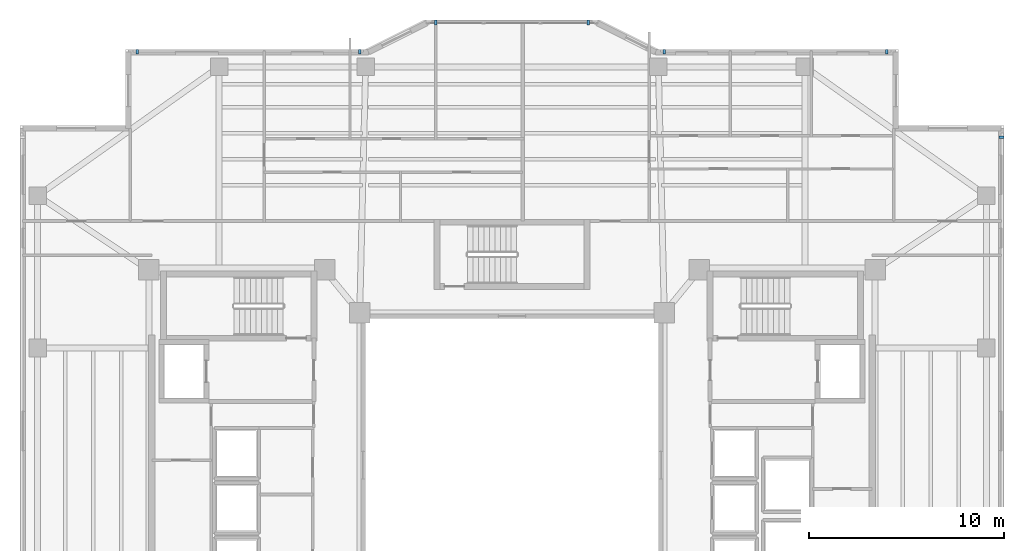
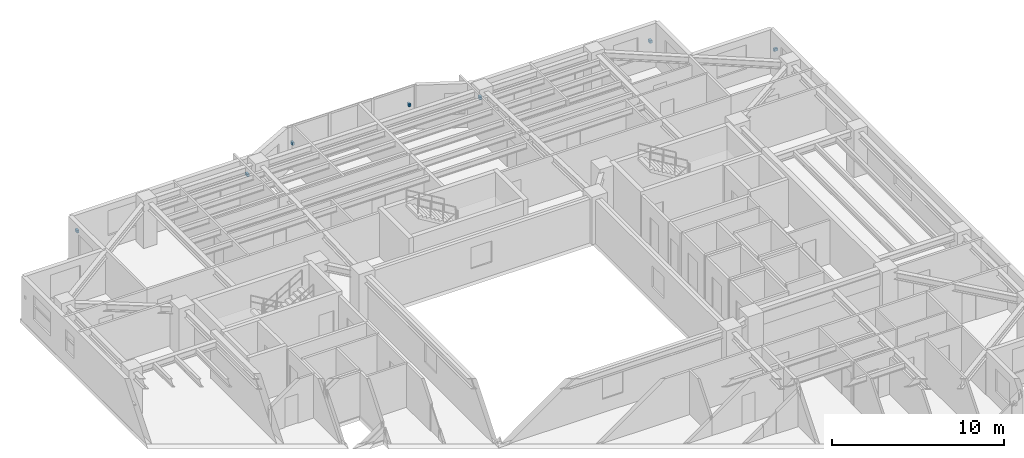
# One storey, part 13 of 16: 7 discrete accessories.
"""IFC4 building model written with IfcOpenShell, lengths in metres."""

from ifc_helpers import new_model, si_unit, direction, frame, origin, origin_2d, place, context, subcontext, project, spatial, rectangle, extrude, material, type_object, element, save


model = new_model("IFC4")

# Units and contexts
model_context = context("Model", 3, precision=1e-05, world=origin(), true_north=direction((0.0, 1.0)))
body_context = subcontext(model_context, "Body", "Model", "MODEL_VIEW")
ifc_project = project(units=[si_unit("LENGTHUNIT", "METRE"), si_unit("AREAUNIT", "SQUARE_METRE"), si_unit("VOLUMEUNIT", "CUBIC_METRE"), si_unit("PLANEANGLEUNIT", "RADIAN"), si_unit("MASSUNIT", "GRAM", prefix="KILO")], contexts=[model_context])

# Site, building, storey
site_placement = place(None, origin())
site = spatial("IfcSite", under=ifc_project, at=site_placement, CompositionType="ELEMENT")
building_placement = place(site_placement, origin())
building = spatial("IfcBuilding", under=site, at=building_placement, Name="Tarnavaz Court Tower", CompositionType="ELEMENT")
storey_placement = place(building_placement, frame((0.0, 0.0, 146.0)))
storey = spatial("IfcBuildingStorey", under=building, at=storey_placement, Name="L39", CompositionType="ELEMENT", Elevation=146.0)

# Discrete accessories
ifc_material = material(Name="Anodised Aluminium 6063-T6", Category="aluminium")
discrete_accessory_type = type_object("IfcDiscreteAccessoryType", Name="DA-BRKT-ALU", PredefinedType="BRACKET", material=ifc_material)
for number, where, z_axis, x_axis, name in (
    (1, (-19.199951171875, 21.169921875, 1.75), (0.0, 0.0, 1.0), (1.0, 0.0, 0.0), "L39 Baguette Outrigger Bracket FBG05-1"),
    (2, (-7.800048828125, 21.169921875, 1.75), (0.0, 0.0, 1.0), (1.0, 0.0, 0.0), "L39 Baguette Outrigger Bracket FBG05-2"),
    (3, (-3.89990234375, 22.669921875, 1.7001953125), (0.0, 0.0, 1.0), (1.0, 0.0, 0.0), "L39 Baguette Outrigger Bracket PBG7-1"),
    (4, (3.89990234375, 22.669921875, 1.7001953125), (0.0, 0.0, 1.0), (1.0, 0.0, 0.0), "L39 Baguette Outrigger Bracket PBG7-2"),
    (5, (7.800048828125, 21.169921875, 1.75), (0.0, 0.0, 1.0), (1.0, 0.0, 0.0), "L39 Baguette Outrigger Bracket FBG09-1"),
    (6, (19.199951171875, 21.169921875, 1.75), (0.0, 0.0, 1.0), (1.0, 0.0, 0.0), "L39 Baguette Outrigger Bracket FBG09-2"),
    (7, (25.070068359375, 16.800048828125, 1.75), (0.0, 0.0, 1.0), (0.0, -1.0, 0.0), "L39 Baguette Outrigger Bracket FBG12-1"),
):
    element("IfcDiscreteAccessory", number, at=place(storey_placement, frame(where, z_axis=z_axis, x_axis=x_axis)), inside=storey, type_object=discrete_accessory_type, Name=name, PredefinedType="BRACKET", context=body_context, shape_type="SweptSolid", body=[
        extrude(rectangle(XDim=0.139892578125, YDim=0.239990234375, at=origin_2d()), origin(), (0.0, 0.0, 1.0), 0.199951171875),
    ])

save(model, "model.ifc")
